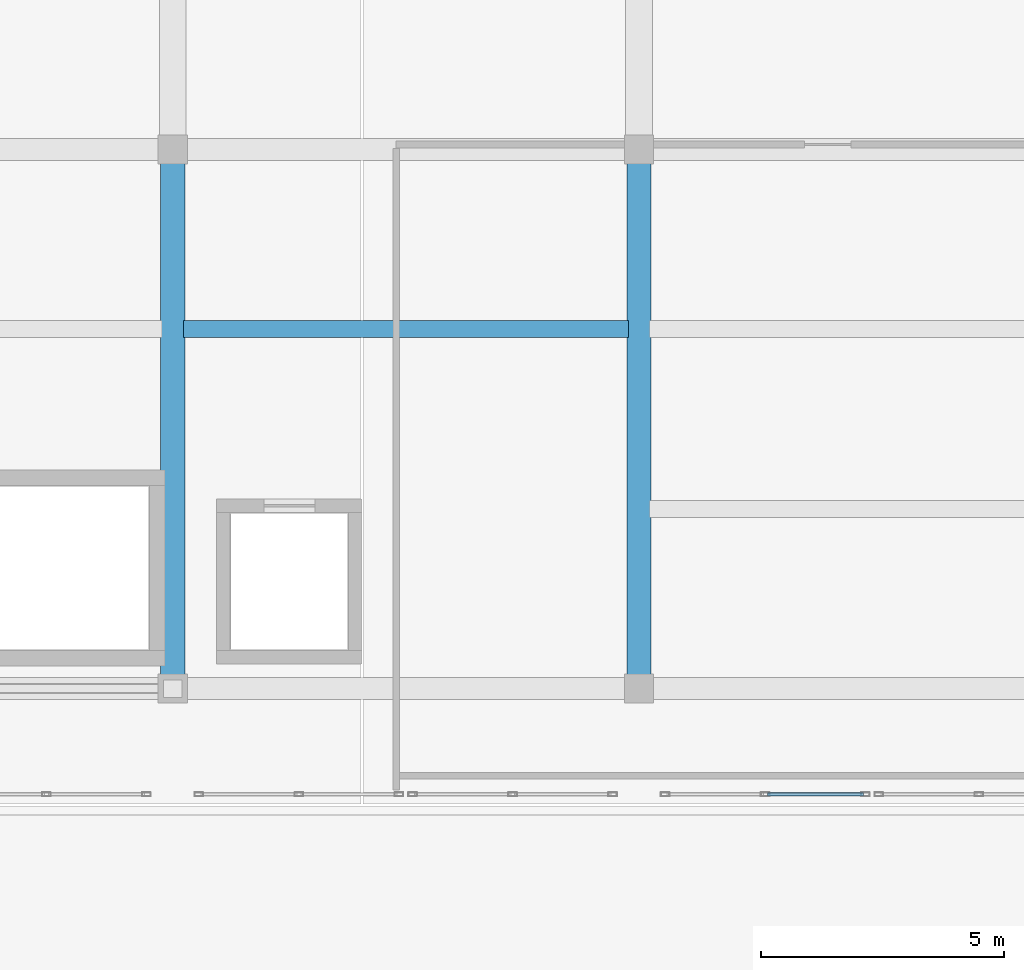
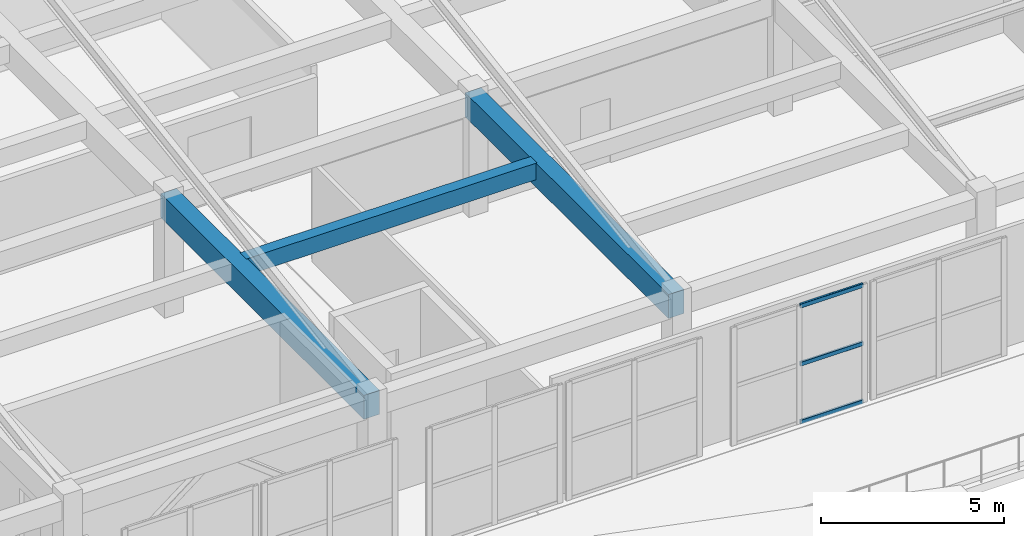
# One storey, part 6 of 29: 3 beams, 3 members, 1 element without a shape of its own.
"""IFC4 building model written with IfcOpenShell, lengths in metres."""

from ifc_helpers import new_model, si_unit, direction, frame, origin, origin_2d, place, context, subcontext, project, spatial, rectangle, hollow_rectangle, extrude, material, layer, layer_set, material_profile, profile_set, type_object, element, aggregate, save


model = new_model("IFC4")

# Units and contexts
model_context = context("Model", 3, precision=1e-05, world=origin(), true_north=direction((0.0, 1.0)))
body_context = subcontext(model_context, "Body", "Model", "MODEL_VIEW")
ifc_project = project(units=[si_unit("LENGTHUNIT", "METRE"), si_unit("AREAUNIT", "SQUARE_METRE"), si_unit("VOLUMEUNIT", "CUBIC_METRE"), si_unit("PLANEANGLEUNIT", "RADIAN"), si_unit("MASSUNIT", "GRAM", prefix="KILO")], contexts=[model_context])

# Site, building, storey
site_placement = place(None, origin())
site = spatial("IfcSite", under=ifc_project, at=site_placement, CompositionType="ELEMENT")
building_placement = place(site_placement, origin())
building = spatial("IfcBuilding", under=site, at=building_placement, Name="Tarnavel Promenade Courthouse", CompositionType="ELEMENT")
storey_placement = place(building_placement, frame((0.0, 0.0, 22.800048828125)))
storey = spatial("IfcBuildingStorey", under=building, at=storey_placement, Name="L06", CompositionType="ELEMENT", Elevation=22.800048828125)

# Beams
ifc_material_1 = material(Name="Concrete C40/50", Category="concrete")
ifc_material_profile_1 = material_profile(ifc_material_1, rectangle(XDim=0.35009765625, YDim=0.550048828125, at=origin_2d()), Name="PT 350x550")
ifc_profile_set_1 = profile_set([ifc_material_profile_1], Name="Concrete C40/50")
beam_type_1 = type_object("IfcBeamType", Name="Concrete C40/50 BM-PT-350x550 (PT 350x550)", PredefinedType="JOIST", material=ifc_profile_set_1)
beam_placement = place(storey_placement, frame((19.419921875, 81.800048828125, 3.68994140625), z_axis=(1.0, 0.0, 0.0), x_axis=(0.0, 1.0, 0.0)))
element("IfcBeam", 1, at=beam_placement, inside=storey, type_object=beam_type_1, Name="L06 Secondary Floor Rib 2477", PredefinedType="JOIST", context=body_context, shape_type="SweptSolid", body=[
    extrude(rectangle(XDim=0.35009765625, YDim=0.550048828125, at=origin_2d()), origin(), (0.0, 0.0, 1.0), 9.16015625),
])
ifc_material_profile_2 = material_profile(ifc_material_1, rectangle(XDim=0.5, YDim=0.800048828125, at=origin_2d()), Name="PT 500x800")
ifc_profile_set_2 = profile_set([ifc_material_profile_2], Name="Concrete C40/50")
beam_type_2 = type_object("IfcBeamType", Name="Concrete C40/50 BM-PT-500x800 (PT 500x800)", PredefinedType="T_BEAM", material=ifc_profile_set_2)
for number, where, z_axis, x_axis, name in (
    (2, (19.199951171875, 74.39990234375, 3.56494140625), (0.0, 1.0, 0.0), (-1.0, 0.0, 0.0), "L06 Transverse Girder 2438"),
    (3, (28.800048828125, 74.39990234375, 3.56494140625), (0.0, 1.0, 0.0), (-1.0, 0.0, 0.0), "L06 Transverse Girder 2441"),
):
    element("IfcBeam", number, at=place(storey_placement, frame(where, z_axis=z_axis, x_axis=x_axis)), inside=storey, type_object=beam_type_2, Name=name, PredefinedType="T_BEAM", context=body_context, shape_type="SweptSolid", body=[
        extrude(rectangle(XDim=0.5, YDim=0.800048828125, at=origin_2d()), origin(), (0.0, 0.0, 1.0), 11.10009765625),
    ])

# Curtain wall, members
ifc_material_2 = material(Name="Thermally Broken Anodised Aluminium Curtain Wall System", Category="aluminium")
ifc_layer = layer(ifc_material_2, 0.195068359375)
ifc_layer_set = layer_set([ifc_layer], Name="Thermally Broken Anodised Aluminium Curtain Wall System")
curtain_wall_type = type_object("IfcCurtainWallType", Name="Thermally Broken Aluminium Triple-Glazed Curtain Wall CW-TER", PredefinedType="NOTDEFINED", material=ifc_layer_set)
curtain_wall_placement = place(storey_placement, origin())
curtain_wall = element("IfcCurtainWall", 4, at=curtain_wall_placement, inside=storey, type_object=curtain_wall_type, Name="L06 Trial Wing Roof-Garden Glazed Bay 189", PredefinedType="NOTDEFINED")
ifc_material_3 = material(Name="Thermally Broken Anodised Aluminium Frame", Category="aluminium")
ifc_material_profile_3 = material_profile(ifc_material_3, hollow_rectangle(XDim=0.070068359375, YDim=0.139892578125, WallThickness=0.0048828125, InnerFilletRadius=0.0048828125, OuterFilletRadius=0.010009765625, at=origin_2d()), Name="CWT 140x70x5")
ifc_profile_set_3 = profile_set([ifc_material_profile_3], Name="Thermally Broken Anodised Aluminium Frame")
member_type = type_object("IfcMemberType", Name="Thermally Broken Anodised Aluminium CWT-125 (CWT 140x70x5)", PredefinedType="USERDEFINED", material=ifc_profile_set_3)
member_1_placement = place(storey_placement, frame((31.43994140625, 72.219970703125, 0.034912109375), z_axis=(1.0, 0.0, 0.0), x_axis=(0.0, 1.0, 0.0)))
member_1 = element("IfcMember", 5, at=member_1_placement, type_object=member_type, Name="CW-06 transom 2.1", ObjectType="TRANSOM", PredefinedType="USERDEFINED", context=body_context, shape_type="SweptSolid", body=[
    extrude(hollow_rectangle(XDim=0.070068359375, YDim=0.139892578125, WallThickness=0.0048828125, InnerFilletRadius=0.0048828125, OuterFilletRadius=0.010009765625, at=origin_2d()), origin(), (0.0, 0.0, 1.0), 1.97998046875),
])
member_2_placement = place(storey_placement, frame((31.43994140625, 72.219970703125, 1.969970703125), z_axis=(1.0, 0.0, 0.0), x_axis=(0.0, 1.0, 0.0)))
member_2 = element("IfcMember", 6, at=member_2_placement, type_object=member_type, Name="CW-06 transom 2.2", ObjectType="TRANSOM", PredefinedType="USERDEFINED", context=body_context, shape_type="SweptSolid", body=[
    extrude(hollow_rectangle(XDim=0.070068359375, YDim=0.139892578125, WallThickness=0.0048828125, InnerFilletRadius=0.0048828125, OuterFilletRadius=0.010009765625, at=origin_2d()), origin(), (0.0, 0.0, 1.0), 1.97998046875),
])
member_3_placement = place(storey_placement, frame((31.43994140625, 72.219970703125, 3.905029296875), z_axis=(1.0, 0.0, 0.0), x_axis=(0.0, 1.0, 0.0)))
member_3 = element("IfcMember", 7, at=member_3_placement, type_object=member_type, Name="CW-06 transom 2.3", ObjectType="TRANSOM", PredefinedType="USERDEFINED", context=body_context, shape_type="SweptSolid", body=[
    extrude(hollow_rectangle(XDim=0.070068359375, YDim=0.139892578125, WallThickness=0.0048828125, InnerFilletRadius=0.0048828125, OuterFilletRadius=0.010009765625, at=origin_2d()), origin(), (0.0, 0.0, 1.0), 1.97998046875),
])
aggregate(curtain_wall, [member_1, member_2, member_3])

save(model, "model.ifc")
